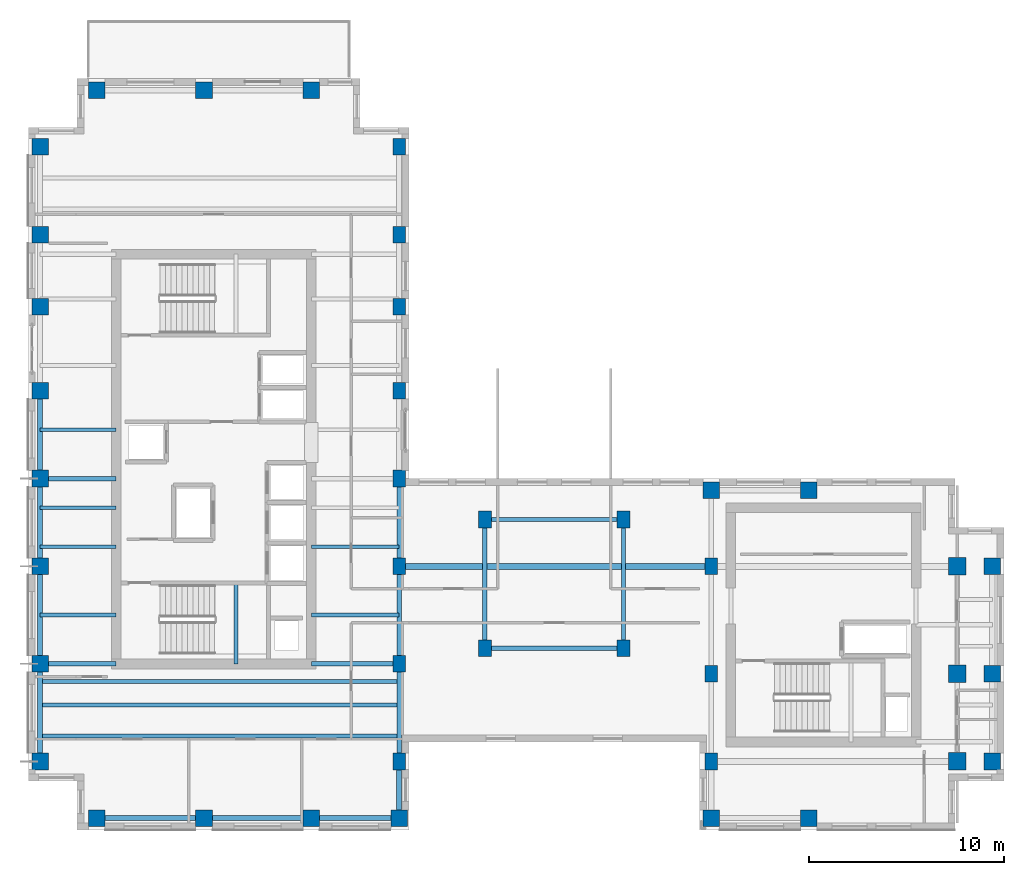
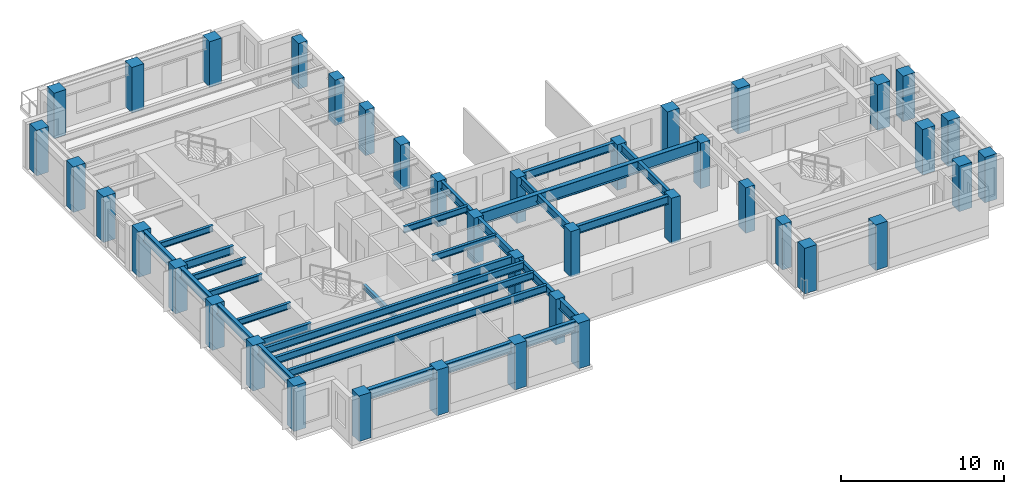
# One storey, part 1 of 14: 40 columns, 29 beams.
"""IFC4 building model written with IfcOpenShell, lengths in metres."""

from ifc_helpers import new_model, si_unit, direction, frame, origin, origin_2d, place, context, subcontext, project, spatial, rectangle, i_section, extrude, source, transform, mapped, material, material_profile, profile_set, type_object, element, save


model = new_model("IFC4")

# Units and contexts
model_context = context("Model", 3, precision=1e-05, world=origin(), true_north=direction((0.0, 1.0)))
body_context = subcontext(model_context, "Body", "Model", "MODEL_VIEW")
ifc_project = project(units=[si_unit("LENGTHUNIT", "METRE"), si_unit("AREAUNIT", "SQUARE_METRE"), si_unit("VOLUMEUNIT", "CUBIC_METRE"), si_unit("PLANEANGLEUNIT", "RADIAN"), si_unit("MASSUNIT", "GRAM", prefix="KILO")], contexts=[model_context])

# Site, building, storey
site_placement = place(None, origin())
site = spatial("IfcSite", under=ifc_project, at=site_placement, CompositionType="ELEMENT")
building_placement = place(site_placement, origin())
building = spatial("IfcBuilding", under=site, at=building_placement, Name="Kharzan Plaza Tower", CompositionType="ELEMENT")
storey_placement = place(building_placement, frame((0.0, 0.0, 212.39990234375)))
storey = spatial("IfcBuildingStorey", under=building, at=storey_placement, Name="L57", CompositionType="ELEMENT", Elevation=212.39990234375)

# Columns
ifc_material_1 = material(Name="Concrete C50/60", Category="concrete")
ifc_material_profile_1 = material_profile(ifc_material_1, rectangle(XDim=0.89990234375, YDim=0.89990234375, at=origin_2d()), Name="RC-IC900x900")
ifc_profile_set_1 = profile_set([ifc_material_profile_1], Name="Concrete C50/60")
column_type_1 = type_object("IfcColumnType", Name="COL-IC900", PredefinedType="COLUMN", material=ifc_profile_set_1)
shared_shape_1 = source(origin(), body_context, "Body", "SweptSolid", [
    extrude(rectangle(XDim=0.89990234375, YDim=0.89990234375, at=origin_2d()), origin(), (0.0, 0.0, 1.0), 3.400146484375),
])
for number, where, z_axis, x_axis, name in (
    (1, (47.60009765625, 13.5, 0.0), (0.0, 0.0, 1.0), (1.0, 0.0, 0.0), "L57 Structural Column TCBI-135"),
    (2, (47.60009765625, 3.5, 0.0), (0.0, 0.0, 1.0), (1.0, 0.0, 0.0), "L57 Structural Column TCBI-35"),
    (3, (47.60009765625, 8.0, 0.0), (0.0, 0.0, 1.0), (1.0, 0.0, 0.0), "L57 Structural Column TCBI-80"),
):
    element("IfcColumn", number, at=place(storey_placement, frame(where, z_axis=z_axis, x_axis=x_axis)), inside=storey, type_object=column_type_1, Name=name, PredefinedType="COLUMN", context=body_context, shape_type="MappedRepresentation", body=[
        mapped(shared_shape_1, transform((0.0, 0.0, 0.0), x_axis=(1.0, 0.0, 0.0), y_axis=(0.0, 1.0, 0.0), z_axis=(0.0, 0.0, 1.0))),
    ])
ifc_material_profile_2 = material_profile(ifc_material_1, rectangle(XDim=0.64990234375, YDim=0.85009765625, at=origin_2d()), Name="RC-SC850x650")
ifc_profile_set_2 = profile_set([ifc_material_profile_2], Name="Concrete C50/60")
column_type_2 = type_object("IfcColumnType", Name="COL-SC850", PredefinedType="COLUMN", material=ifc_profile_set_2)
shared_shape_2 = source(origin(), body_context, "Body", "SweptSolid", [
    extrude(rectangle(XDim=0.64990234375, YDim=0.85009765625, at=origin_2d()), origin(), (0.0, 0.0, 1.0), 3.400146484375),
])
for number, where, z_axis, x_axis, name in (
    (4, (19.0, 13.5, 0.0), (0.0, 0.0, 1.0), (1.0, 0.0, 0.0), "L57 Structural Column TCA-135"),
    (5, (19.0, 18.0, 0.0), (0.0, 0.0, 1.0), (1.0, 0.0, 0.0), "L57 Structural Column TCA-180"),
    (6, (19.0, 22.5, 0.0), (0.0, 0.0, 1.0), (1.0, 0.0, 0.0), "L57 Structural Column TCA-225"),
    (7, (19.0, 26.800048828125, 0.0), (0.0, 0.0, 1.0), (1.0, 0.0, 0.0), "L57 Structural Column TCA-268"),
    (8, (19.0, 30.5, 0.0), (0.0, 0.0, 1.0), (1.0, 0.0, 0.0), "L57 Structural Column TCA-305"),
    (9, (19.0, 3.5, 0.0), (0.0, 0.0, 1.0), (1.0, 0.0, 0.0), "L57 Structural Column TCA-35"),
    (10, (19.0, 35.0, 0.0), (0.0, 0.0, 1.0), (1.0, 0.0, 0.0), "L57 Structural Column TCA-350"),
    (11, (19.0, 8.5, 0.0), (0.0, 0.0, 1.0), (1.0, 0.0, 0.0), "L57 Structural Column TCA-85"),
    (12, (35.0, 13.5, 0.0), (0.0, 0.0, 1.0), (1.0, 0.0, 0.0), "L57 Structural Column TCBS-135"),
    (13, (35.0, 3.5, 0.0), (0.0, 0.0, 1.0), (1.0, 0.0, 0.0), "L57 Structural Column TCBS-35"),
    (14, (35.0, 8.0, 0.0), (0.0, 0.0, 1.0), (1.0, 0.0, 0.0), "L57 Structural Column TCBS-80"),
    (15, (23.39990234375, 15.89990234375, 0.0), (0.0, 0.0, 1.0), (1.0, 0.0, 0.0), "L57 Structural Column TCSP-234-159"),
    (16, (23.39990234375, 9.300048828125, 0.0), (0.0, 0.0, 1.0), (1.0, 0.0, 0.0), "L57 Structural Column TCSP-234-93"),
    (17, (30.5, 15.89990234375, 0.0), (0.0, 0.0, 1.0), (1.0, 0.0, 0.0), "L57 Structural Column TCSP-305-159"),
    (18, (30.5, 9.300048828125, 0.0), (0.0, 0.0, 1.0), (1.0, 0.0, 0.0), "L57 Structural Column TCSP-305-93"),
):
    element("IfcColumn", number, at=place(storey_placement, frame(where, z_axis=z_axis, x_axis=x_axis)), inside=storey, type_object=column_type_2, Name=name, PredefinedType="COLUMN", context=body_context, shape_type="MappedRepresentation", body=[
        mapped(shared_shape_2, transform((0.0, 0.0, 0.0), x_axis=(1.0, 0.0, 0.0), y_axis=(0.0, 1.0, 0.0), z_axis=(0.0, 0.0, 1.0))),
    ])
ifc_material_profile_3 = material_profile(ifc_material_1, rectangle(XDim=0.85009765625, YDim=0.85009765625, at=origin_2d()), Name="RC-TC850x850")
ifc_profile_set_3 = profile_set([ifc_material_profile_3], Name="Concrete C50/60")
column_type_3 = type_object("IfcColumnType", Name="COL-TC850", PredefinedType="COLUMN", material=ifc_profile_set_3)
shared_shape_3 = source(origin(), body_context, "Body", "SweptSolid", [
    extrude(rectangle(XDim=0.85009765625, YDim=0.85009765625, at=origin_2d()), origin(), (0.0, 0.0, 1.0), 3.400146484375),
])
for number, where, z_axis, x_axis, name in (
    (19, (35.0, 17.39990234375, 0.0), (0.0, 0.0, 1.0), (1.0, 0.0, 0.0), "L57 Structural Column TCBN-350-174"),
    (20, (40.0, 17.39990234375, 0.0), (0.0, 0.0, 1.0), (1.0, 0.0, 0.0), "L57 Structural Column TCBN-400-174"),
    (21, (49.39990234375, 13.5, 0.0), (0.0, 0.0, 1.0), (1.0, 0.0, 0.0), "L57 Structural Column TCE-494-135"),
    (22, (49.39990234375, 3.5, 0.0), (0.0, 0.0, 1.0), (1.0, 0.0, 0.0), "L57 Structural Column TCE-494-35"),
    (23, (49.39990234375, 8.0, 0.0), (0.0, 0.0, 1.0), (1.0, 0.0, 0.0), "L57 Structural Column TCE-494-80"),
    (24, (14.5, 37.89990234375, 0.0), (0.0, 0.0, 1.0), (1.0, 0.0, 0.0), "L57 Structural Column TCN-145-379"),
    (25, (3.5, 37.89990234375, 0.0), (0.0, 0.0, 1.0), (1.0, 0.0, 0.0), "L57 Structural Column TCN-35-379"),
    (26, (9.0, 37.89990234375, 0.0), (0.0, 0.0, 1.0), (1.0, 0.0, 0.0), "L57 Structural Column TCN-90-379"),
    (27, (14.5, 0.60009765625, 0.0), (0.0, 0.0, 1.0), (1.0, 0.0, 0.0), "L57 Structural Column TCS-145"),
    (28, (19.0, 0.60009765625, 0.0), (0.0, 0.0, 1.0), (1.0, 0.0, 0.0), "L57 Structural Column TCS-190"),
    (29, (3.5, 0.60009765625, 0.0), (0.0, 0.0, 1.0), (1.0, 0.0, 0.0), "L57 Structural Column TCS-35"),
    (30, (35.0, 0.60009765625, 0.0), (0.0, 0.0, 1.0), (1.0, 0.0, 0.0), "L57 Structural Column TCS-350"),
    (31, (40.0, 0.60009765625, 0.0), (0.0, 0.0, 1.0), (1.0, 0.0, 0.0), "L57 Structural Column TCS-400"),
    (32, (9.0, 0.60009765625, 0.0), (0.0, 0.0, 1.0), (1.0, 0.0, 0.0), "L57 Structural Column TCS-90"),
    (33, (0.60009765625, 13.5, 0.0), (0.0, 0.0, 1.0), (1.0, 0.0, 0.0), "L57 Structural Column TCW-135"),
    (34, (0.60009765625, 18.0, 0.0), (0.0, 0.0, 1.0), (1.0, 0.0, 0.0), "L57 Structural Column TCW-180"),
    (35, (0.60009765625, 22.5, 0.0), (0.0, 0.0, 1.0), (1.0, 0.0, 0.0), "L57 Structural Column TCW-225"),
    (36, (0.60009765625, 26.800048828125, 0.0), (0.0, 0.0, 1.0), (1.0, 0.0, 0.0), "L57 Structural Column TCW-268"),
    (37, (0.60009765625, 30.5, 0.0), (0.0, 0.0, 1.0), (1.0, 0.0, 0.0), "L57 Structural Column TCW-305"),
    (38, (0.60009765625, 3.5, 0.0), (0.0, 0.0, 1.0), (1.0, 0.0, 0.0), "L57 Structural Column TCW-35"),
    (39, (0.60009765625, 35.0, 0.0), (0.0, 0.0, 1.0), (1.0, 0.0, 0.0), "L57 Structural Column TCW-350"),
    (40, (0.60009765625, 8.5, 0.0), (0.0, 0.0, 1.0), (1.0, 0.0, 0.0), "L57 Structural Column TCW-85"),
):
    element("IfcColumn", number, at=place(storey_placement, frame(where, z_axis=z_axis, x_axis=x_axis)), inside=storey, type_object=column_type_3, Name=name, PredefinedType="COLUMN", context=body_context, shape_type="MappedRepresentation", body=[
        mapped(shared_shape_3, transform((0.0, 0.0, 0.0), x_axis=(1.0, 0.0, 0.0), y_axis=(0.0, 1.0, 0.0), z_axis=(0.0, 0.0, 1.0))),
    ])

# Beams
ifc_material_2 = material(Name="Steel S355", Category="steel")
ifc_material_profile_4 = material_profile(ifc_material_2, i_section(OverallWidth=0.205078125, OverallDepth=0.35400390625, WebThickness=0.009521484375, FlangeThickness=0.016845703125, at=origin_2d()), Name="W360x79")
ifc_profile_set_4 = profile_set([ifc_material_profile_4], Name="Steel S355")
beam_type_1 = type_object("IfcBeamType", Name="BM-LNT360", PredefinedType="LINTEL", material=ifc_profile_set_4)
shared_shape_4 = source(origin(), body_context, "Body", "SweptSolid", [
    extrude(i_section(OverallWidth=0.205078125, OverallDepth=0.35400390625, WebThickness=0.009521484375, FlangeThickness=0.016845703125, at=origin_2d()), origin(), (0.0, 0.0, 1.0), 4.155029296875),
])
beam_1_placement = place(storey_placement, frame((10.64990234375, 8.5, 1.423095703125), z_axis=(0.0, 1.0, 0.0), x_axis=(-1.0, 0.0, 0.0)))
element("IfcBeam", 41, at=beam_1_placement, inside=storey, type_object=beam_type_1, Name="L57 Stair ST-1 Half-Landing Beam", PredefinedType="LINTEL", context=body_context, shape_type="MappedRepresentation", body=[
    mapped(shared_shape_4, transform((0.0, 0.0, 0.0), x_axis=(1.0, 0.0, 0.0), y_axis=(0.0, 1.0, 0.0), z_axis=(0.0, 0.0, 1.0))),
])
ifc_material_profile_5 = material_profile(ifc_material_2, i_section(OverallWidth=0.304931640625, OverallDepth=0.9189453125, WebThickness=0.017333984375, FlangeThickness=0.02783203125, at=origin_2d()), Name="W920x253")
ifc_profile_set_5 = profile_set([ifc_material_profile_5], Name="Steel S355")
beam_type_2 = type_object("IfcBeamType", Name="BM-FG920B", PredefinedType="BEAM", material=ifc_profile_set_5)
shared_shape_5 = source(origin(), body_context, "Body", "SweptSolid", [
    extrude(i_section(OverallWidth=0.304931640625, OverallDepth=0.9189453125, WebThickness=0.017333984375, FlangeThickness=0.02783203125, at=origin_2d()), origin(), (0.0, 0.0, 1.0), 16.0),
])
beam_2_placement = place(storey_placement, frame((19.0, 13.5, 2.940673828125), z_axis=(1.0, 0.0, 0.0), x_axis=(0.0, 1.0, 0.0)))
element("IfcBeam", 42, at=beam_2_placement, inside=storey, type_object=beam_type_2, Name="L57 Primary Floor Girder", PredefinedType="BEAM", context=body_context, shape_type="MappedRepresentation", body=[
    mapped(shared_shape_5, transform((0.0, 0.0, 0.0), x_axis=(1.0, 0.0, 0.0), y_axis=(0.0, 1.0, 0.0), z_axis=(0.0, 0.0, 1.0))),
])
ifc_material_profile_6 = material_profile(ifc_material_2, i_section(OverallWidth=0.2099609375, OverallDepth=0.537109375, WebThickness=0.010986328125, FlangeThickness=0.017333984375, at=origin_2d()), Name="W530x101")
ifc_profile_set_6 = profile_set([ifc_material_profile_6], Name="Steel S355")
beam_type_3 = type_object("IfcBeamType", Name="BM-JST530B", PredefinedType="JOIST", material=ifc_profile_set_6)
shared_shape_6 = source(origin(), body_context, "Body", "SweptSolid", [
    extrude(i_section(OverallWidth=0.2099609375, OverallDepth=0.537109375, WebThickness=0.010986328125, FlangeThickness=0.017333984375, at=origin_2d()), origin(), (0.0, 0.0, 1.0), 18.39990234375),
])
for number, where, z_axis, x_axis, name in (
    (43, (0.60009765625, 4.800048828125, 3.131591796875), (1.0, 0.0, 0.0), (0.0, 1.0, 0.0), "L57 Wing A Composite Joist 01"),
    (44, (0.60009765625, 6.39990234375, 3.131591796875), (1.0, 0.0, 0.0), (0.0, 1.0, 0.0), "L57 Wing A Composite Joist 02"),
    (45, (0.60009765625, 7.60009765625, 3.131591796875), (1.0, 0.0, 0.0), (0.0, 1.0, 0.0), "L57 Wing A Composite Joist 03"),
):
    element("IfcBeam", number, at=place(storey_placement, frame(where, z_axis=z_axis, x_axis=x_axis)), inside=storey, type_object=beam_type_3, Name=name, PredefinedType="JOIST", context=body_context, shape_type="MappedRepresentation", body=[
        mapped(shared_shape_6, transform((0.0, 0.0, 0.0), x_axis=(1.0, 0.0, 0.0), y_axis=(0.0, 1.0, 0.0), z_axis=(0.0, 0.0, 1.0))),
    ])
ifc_material_profile_7 = material_profile(ifc_material_2, i_section(OverallWidth=0.194091796875, OverallDepth=0.468994140625, WebThickness=0.011474609375, FlangeThickness=0.0205078125, at=origin_2d()), Name="W460x106")
ifc_profile_set_7 = profile_set([ifc_material_profile_7], Name="Steel S355")
beam_type_4 = type_object("IfcBeamType", Name="BM-JST460", PredefinedType="JOIST", material=ifc_profile_set_7)
shared_shape_7 = source(origin(), body_context, "Body", "SweptSolid", [
    extrude(i_section(OverallWidth=0.194091796875, OverallDepth=0.468994140625, WebThickness=0.011474609375, FlangeThickness=0.0205078125, at=origin_2d()), origin(), (0.0, 0.0, 1.0), 4.5),
])
for number, where, z_axis, x_axis, name in (
    (46, (14.5, 11.0, 3.16552734375), (1.0, 0.0, 0.0), (0.0, 1.0, 0.0), "L57 Wing A East Infill Joist 1"),
    (47, (14.5, 14.5, 3.16552734375), (1.0, 0.0, 0.0), (0.0, 1.0, 0.0), "L57 Wing A East Infill Joist 2"),
):
    element("IfcBeam", number, at=place(storey_placement, frame(where, z_axis=z_axis, x_axis=x_axis)), inside=storey, type_object=beam_type_4, Name=name, PredefinedType="JOIST", context=body_context, shape_type="MappedRepresentation", body=[
        mapped(shared_shape_7, transform((0.0, 0.0, 0.0), x_axis=(1.0, 0.0, 0.0), y_axis=(0.0, 1.0, 0.0), z_axis=(0.0, 0.0, 1.0))),
    ])
shared_shape_8 = source(origin(), body_context, "Body", "SweptSolid", [
    extrude(i_section(OverallWidth=0.194091796875, OverallDepth=0.468994140625, WebThickness=0.011474609375, FlangeThickness=0.0205078125, at=origin_2d()), origin(), (0.0, 0.0, 1.0), 3.89990234375),
])
for number, where, z_axis, x_axis, name in (
    (48, (0.60009765625, 11.0, 3.16552734375), (1.0, 0.0, 0.0), (0.0, 1.0, 0.0), "L57 Wing A West Infill Joist 1"),
    (49, (0.60009765625, 14.5, 3.16552734375), (1.0, 0.0, 0.0), (0.0, 1.0, 0.0), "L57 Wing A West Infill Joist 2"),
    (50, (0.60009765625, 16.5, 3.16552734375), (1.0, 0.0, 0.0), (0.0, 1.0, 0.0), "L57 Wing A West Infill Joist 3"),
    (51, (0.60009765625, 20.5, 3.16552734375), (1.0, 0.0, 0.0), (0.0, 1.0, 0.0), "L57 Wing A West Infill Joist 4"),
):
    element("IfcBeam", number, at=place(storey_placement, frame(where, z_axis=z_axis, x_axis=x_axis)), inside=storey, type_object=beam_type_4, Name=name, PredefinedType="JOIST", context=body_context, shape_type="MappedRepresentation", body=[
        mapped(shared_shape_8, transform((0.0, 0.0, 0.0), x_axis=(1.0, 0.0, 0.0), y_axis=(0.0, 1.0, 0.0), z_axis=(0.0, 0.0, 1.0))),
    ])
ifc_material_profile_8 = material_profile(ifc_material_2, i_section(OverallWidth=0.22900390625, OverallDepth=0.612060546875, WebThickness=0.011962890625, FlangeThickness=0.01953125, at=origin_2d()), Name="W610x125")
ifc_profile_set_8 = profile_set([ifc_material_profile_8], Name="Steel S355")
beam_type_5 = type_object("IfcBeamType", Name="BM-FG610B", PredefinedType="BEAM", material=ifc_profile_set_8)
shared_shape_9 = source(origin(), body_context, "Body", "SweptSolid", [
    extrude(i_section(OverallWidth=0.22900390625, OverallDepth=0.612060546875, WebThickness=0.011962890625, FlangeThickness=0.01953125, at=origin_2d()), origin(), (0.0, 0.0, 1.0), 4.5),
])
for number, where, z_axis, x_axis, name in (
    (52, (14.5, 8.5, 3.093994140625), (1.0, 0.0, 0.0), (0.0, 1.0, 0.0), "L57 Core-A East Floor Girder 1"),
    (53, (19.0, 13.5, 3.093994140625), (0.0, 1.0, 0.0), (-1.0, 0.0, 0.0), "L57 Interior Frame Girder"),
):
    element("IfcBeam", number, at=place(storey_placement, frame(where, z_axis=z_axis, x_axis=x_axis)), inside=storey, type_object=beam_type_5, Name=name, PredefinedType="BEAM", context=body_context, shape_type="MappedRepresentation", body=[
        mapped(shared_shape_9, transform((0.0, 0.0, 0.0), x_axis=(1.0, 0.0, 0.0), y_axis=(0.0, 1.0, 0.0), z_axis=(0.0, 0.0, 1.0))),
    ])
shared_shape_10 = source(origin(), body_context, "Body", "SweptSolid", [
    extrude(i_section(OverallWidth=0.22900390625, OverallDepth=0.612060546875, WebThickness=0.011962890625, FlangeThickness=0.01953125, at=origin_2d()), origin(), (0.0, 0.0, 1.0), 3.89990234375),
])
for number, where, z_axis, x_axis, name in (
    (54, (0.60009765625, 8.5, 3.093994140625), (1.0, 0.0, 0.0), (0.0, 1.0, 0.0), "L57 Core-A West Floor Girder 1"),
    (55, (0.60009765625, 18.0, 3.093994140625), (1.0, 0.0, 0.0), (0.0, 1.0, 0.0), "L57 Core-A West Floor Girder 2"),
):
    element("IfcBeam", number, at=place(storey_placement, frame(where, z_axis=z_axis, x_axis=x_axis)), inside=storey, type_object=beam_type_5, Name=name, PredefinedType="BEAM", context=body_context, shape_type="MappedRepresentation", body=[
        mapped(shared_shape_10, transform((0.0, 0.0, 0.0), x_axis=(1.0, 0.0, 0.0), y_axis=(0.0, 1.0, 0.0), z_axis=(0.0, 0.0, 1.0))),
    ])
shared_shape_11 = source(origin(), body_context, "Body", "SweptSolid", [
    extrude(i_section(OverallWidth=0.22900390625, OverallDepth=0.612060546875, WebThickness=0.011962890625, FlangeThickness=0.01953125, at=origin_2d()), origin(), (0.0, 0.0, 1.0), 5.0),
])
for number, where, z_axis, x_axis, name in (
    (56, (19.0, 3.5, 3.093994140625), (0.0, 1.0, 0.0), (-1.0, 0.0, 0.0), "L57 Interior Frame Girder"),
    (57, (19.0, 8.5, 3.093994140625), (0.0, 1.0, 0.0), (-1.0, 0.0, 0.0), "L57 Interior Frame Girder"),
):
    element("IfcBeam", number, at=place(storey_placement, frame(where, z_axis=z_axis, x_axis=x_axis)), inside=storey, type_object=beam_type_5, Name=name, PredefinedType="BEAM", context=body_context, shape_type="MappedRepresentation", body=[
        mapped(shared_shape_11, transform((0.0, 0.0, 0.0), x_axis=(1.0, 0.0, 0.0), y_axis=(0.0, 1.0, 0.0), z_axis=(0.0, 0.0, 1.0))),
    ])
shared_shape_12 = source(origin(), body_context, "Body", "SweptSolid", [
    extrude(i_section(OverallWidth=0.22900390625, OverallDepth=0.612060546875, WebThickness=0.011962890625, FlangeThickness=0.01953125, at=origin_2d()), origin(), (0.0, 0.0, 1.0), 6.599853515625),
])
for number, where, z_axis, x_axis, name in (
    (58, (23.39990234375, 9.300048828125, 3.093994140625), (0.0, 1.0, 0.0), (-1.0, 0.0, 0.0), "L57 Interior Frame Girder"),
    (59, (30.5, 9.300048828125, 3.093994140625), (0.0, 1.0, 0.0), (-1.0, 0.0, 0.0), "L57 Interior Frame Girder"),
):
    element("IfcBeam", number, at=place(storey_placement, frame(where, z_axis=z_axis, x_axis=x_axis)), inside=storey, type_object=beam_type_5, Name=name, PredefinedType="BEAM", context=body_context, shape_type="MappedRepresentation", body=[
        mapped(shared_shape_12, transform((0.0, 0.0, 0.0), x_axis=(1.0, 0.0, 0.0), y_axis=(0.0, 1.0, 0.0), z_axis=(0.0, 0.0, 1.0))),
    ])
shared_shape_13 = source(origin(), body_context, "Body", "SweptSolid", [
    extrude(i_section(OverallWidth=0.22900390625, OverallDepth=0.612060546875, WebThickness=0.011962890625, FlangeThickness=0.01953125, at=origin_2d()), origin(), (0.0, 0.0, 1.0), 7.10009765625),
])
for number, where, z_axis, x_axis, name in (
    (60, (23.39990234375, 9.300048828125, 3.093994140625), (1.0, 0.0, 0.0), (0.0, 1.0, 0.0), "L57 Primary Floor Girder"),
    (61, (23.39990234375, 15.89990234375, 3.093994140625), (1.0, 0.0, 0.0), (0.0, 1.0, 0.0), "L57 Primary Floor Girder"),
):
    element("IfcBeam", number, at=place(storey_placement, frame(where, z_axis=z_axis, x_axis=x_axis)), inside=storey, type_object=beam_type_5, Name=name, PredefinedType="BEAM", context=body_context, shape_type="MappedRepresentation", body=[
        mapped(shared_shape_13, transform((0.0, 0.0, 0.0), x_axis=(1.0, 0.0, 0.0), y_axis=(0.0, 1.0, 0.0), z_axis=(0.0, 0.0, 1.0))),
    ])
ifc_material_profile_9 = material_profile(ifc_material_2, i_section(OverallWidth=0.26708984375, OverallDepth=0.76611328125, WebThickness=0.014892578125, FlangeThickness=0.023681640625, at=origin_2d()), Name="W760x185")
ifc_profile_set_9 = profile_set([ifc_material_profile_9], Name="Steel S355")
beam_type_6 = type_object("IfcBeamType", Name="BM-SP760B", PredefinedType="SPANDREL", material=ifc_profile_set_9)
shared_shape_14 = source(origin(), body_context, "Body", "SweptSolid", [
    extrude(i_section(OverallWidth=0.26708984375, OverallDepth=0.76611328125, WebThickness=0.014892578125, FlangeThickness=0.023681640625, at=origin_2d()), origin(), (0.0, 0.0, 1.0), 5.0),
])
for number, where, z_axis, x_axis, name in (
    (62, (0.60009765625, 3.5, 3.01708984375), (0.0, 1.0, 0.0), (-1.0, 0.0, 0.0), "L57 Perimeter Tube Spandrel"),
    (63, (0.60009765625, 8.5, 3.01708984375), (0.0, 1.0, 0.0), (-1.0, 0.0, 0.0), "L57 Perimeter Tube Spandrel"),
):
    element("IfcBeam", number, at=place(storey_placement, frame(where, z_axis=z_axis, x_axis=x_axis)), inside=storey, type_object=beam_type_6, Name=name, PredefinedType="SPANDREL", context=body_context, shape_type="MappedRepresentation", body=[
        mapped(shared_shape_14, transform((0.0, 0.0, 0.0), x_axis=(1.0, 0.0, 0.0), y_axis=(0.0, 1.0, 0.0), z_axis=(0.0, 0.0, 1.0))),
    ])
shared_shape_15 = source(origin(), body_context, "Body", "SweptSolid", [
    extrude(i_section(OverallWidth=0.26708984375, OverallDepth=0.76611328125, WebThickness=0.014892578125, FlangeThickness=0.023681640625, at=origin_2d()), origin(), (0.0, 0.0, 1.0), 4.5),
])
for number, where, z_axis, x_axis, name in (
    (64, (0.60009765625, 13.5, 3.01708984375), (0.0, 1.0, 0.0), (-1.0, 0.0, 0.0), "L57 Perimeter Tube Spandrel"),
    (65, (0.60009765625, 18.0, 3.01708984375), (0.0, 1.0, 0.0), (-1.0, 0.0, 0.0), "L57 Perimeter Tube Spandrel"),
    (66, (14.5, 0.60009765625, 3.01708984375), (1.0, 0.0, 0.0), (0.0, 1.0, 0.0), "L57 Perimeter Tube Spandrel"),
):
    element("IfcBeam", number, at=place(storey_placement, frame(where, z_axis=z_axis, x_axis=x_axis)), inside=storey, type_object=beam_type_6, Name=name, PredefinedType="SPANDREL", context=body_context, shape_type="MappedRepresentation", body=[
        mapped(shared_shape_15, transform((0.0, 0.0, 0.0), x_axis=(1.0, 0.0, 0.0), y_axis=(0.0, 1.0, 0.0), z_axis=(0.0, 0.0, 1.0))),
    ])
shared_shape_16 = source(origin(), body_context, "Body", "SweptSolid", [
    extrude(i_section(OverallWidth=0.26708984375, OverallDepth=0.76611328125, WebThickness=0.014892578125, FlangeThickness=0.023681640625, at=origin_2d()), origin(), (0.0, 0.0, 1.0), 2.89990234375),
])
beam_3_placement = place(storey_placement, frame((19.0, 0.60009765625, 3.01708984375), z_axis=(0.0, 1.0, 0.0), x_axis=(-1.0, 0.0, 0.0)))
element("IfcBeam", 67, at=beam_3_placement, inside=storey, type_object=beam_type_6, Name="L57 Perimeter Tube Spandrel", PredefinedType="SPANDREL", context=body_context, shape_type="MappedRepresentation", body=[
    mapped(shared_shape_16, transform((0.0, 0.0, 0.0), x_axis=(1.0, 0.0, 0.0), y_axis=(0.0, 1.0, 0.0), z_axis=(0.0, 0.0, 1.0))),
])
shared_shape_17 = source(origin(), body_context, "Body", "SweptSolid", [
    extrude(i_section(OverallWidth=0.26708984375, OverallDepth=0.76611328125, WebThickness=0.014892578125, FlangeThickness=0.023681640625, at=origin_2d()), origin(), (0.0, 0.0, 1.0), 5.5),
])
for number, where, z_axis, x_axis, name in (
    (68, (3.5, 0.60009765625, 3.01708984375), (1.0, 0.0, 0.0), (0.0, 1.0, 0.0), "L57 Perimeter Tube Spandrel"),
    (69, (9.0, 0.60009765625, 3.01708984375), (1.0, 0.0, 0.0), (0.0, 1.0, 0.0), "L57 Perimeter Tube Spandrel"),
):
    element("IfcBeam", number, at=place(storey_placement, frame(where, z_axis=z_axis, x_axis=x_axis)), inside=storey, type_object=beam_type_6, Name=name, PredefinedType="SPANDREL", context=body_context, shape_type="MappedRepresentation", body=[
        mapped(shared_shape_17, transform((0.0, 0.0, 0.0), x_axis=(1.0, 0.0, 0.0), y_axis=(0.0, 1.0, 0.0), z_axis=(0.0, 0.0, 1.0))),
    ])

save(model, "model.ifc")
